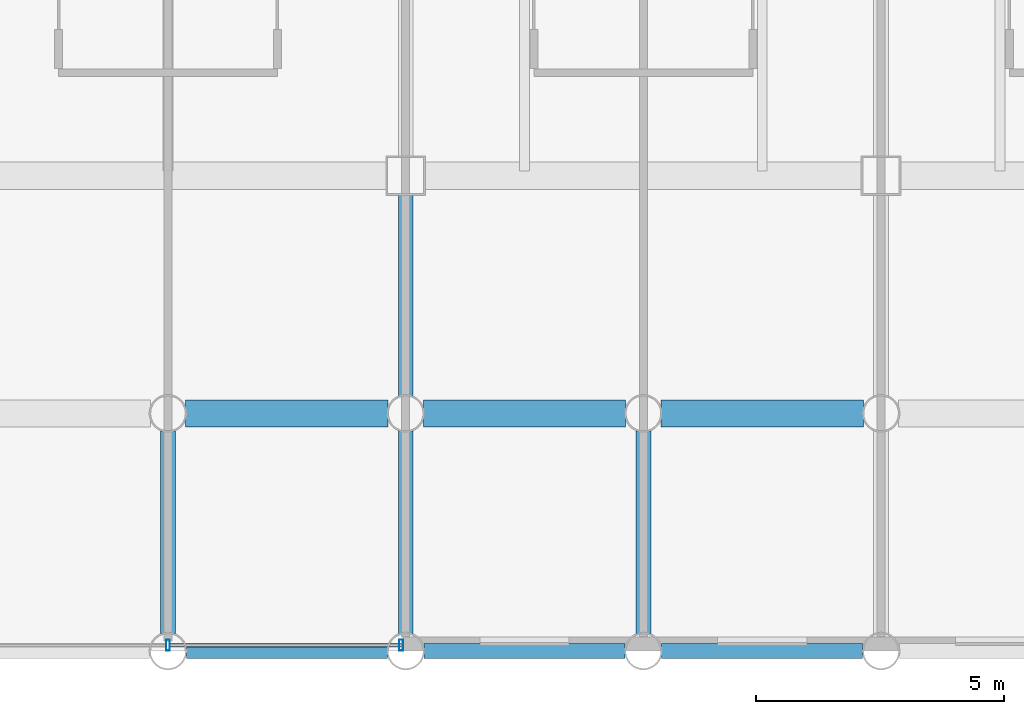
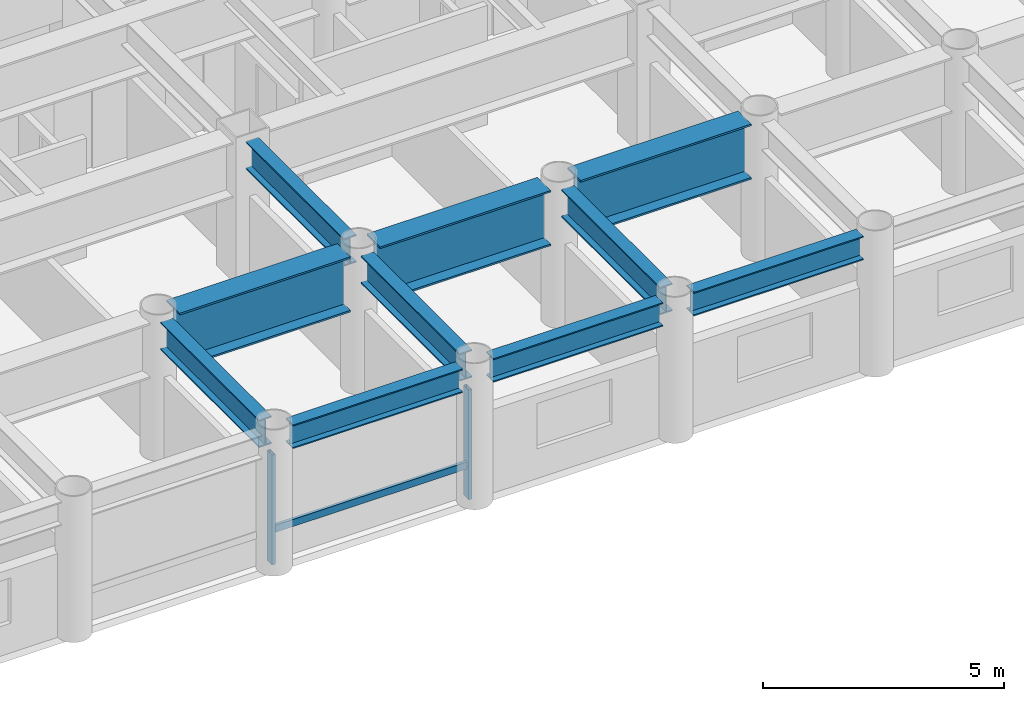
# One storey, part 6 of 24: 10 beams, 3 members, 1 element without a shape of its own.
"""IFC4 building model written with IfcOpenShell, lengths in metres."""

from ifc_helpers import new_model, si_unit, direction, frame, origin, origin_2d, place, context, subcontext, project, spatial, hollow_rectangle, i_section, extrude, material, layer, layer_set, material_profile, profile_set, type_object, element, aggregate, save


model = new_model("IFC4")

# Units and contexts
model_context = context("Model", 3, precision=1e-05, world=origin(), true_north=direction((0.0, 1.0)))
body_context = subcontext(model_context, "Body", "Model", "MODEL_VIEW")
ifc_project = project(units=[si_unit("LENGTHUNIT", "METRE"), si_unit("AREAUNIT", "SQUARE_METRE"), si_unit("VOLUMEUNIT", "CUBIC_METRE"), si_unit("PLANEANGLEUNIT", "RADIAN"), si_unit("MASSUNIT", "GRAM", prefix="KILO")], contexts=[model_context])

# Site, building, storey
site_placement = place(None, origin())
site = spatial("IfcSite", under=ifc_project, at=site_placement, CompositionType="ELEMENT")
building_placement = place(site_placement, origin())
building = spatial("IfcBuilding", under=site, at=building_placement, Name="Kallvorn Hotel Tower", CompositionType="ELEMENT")
storey_placement = place(building_placement, frame((0.0, 0.0, 30.0)))
storey = spatial("IfcBuildingStorey", under=building, at=storey_placement, Name="L05", CompositionType="ELEMENT", Elevation=30.0)

# Beams
ifc_material_1 = material(Name="Structural steel S355JR", Category="steel")
ifc_material_profile_1 = material_profile(ifc_material_1, i_section(OverallWidth=0.300048828125, OverallDepth=0.60009765625, WebThickness=0.015380859375, FlangeThickness=0.030029296875, at=origin_2d()), Name="HE 600 B")
ifc_profile_set_1 = profile_set([ifc_material_profile_1], Name="Structural steel S355JR")
beam_type_1 = type_object("IfcBeamType", Name="BM_HE600B", PredefinedType="SPANDREL", material=ifc_profile_set_1)
beam_1_placement = place(storey_placement, frame((0.37109375, -24.0, 3.219970703125), z_axis=(1.0, 0.0, 0.0), x_axis=(0.0, 1.0, 0.0)))
element("IfcBeam", 1, at=beam_1_placement, inside=storey, type_object=beam_type_1, Name="L06 Perimeter Spandrel 157", PredefinedType="SPANDREL", context=body_context, shape_type="SweptSolid", body=[
    extrude(i_section(OverallWidth=0.300048828125, OverallDepth=0.60009765625, WebThickness=0.015380859375, FlangeThickness=0.030029296875, at=origin_2d()), origin(), (0.0, 0.0, 1.0), 4.057861328125),
])
for number, where, z_axis, x_axis, name in (
    (2, (5.1708984375, -24.0, 3.219970703125), (1.0, 0.0, 0.0), (0.0, 1.0, 0.0), "L06 Perimeter Spandrel 158"),
    (3, (9.970947265625, -24.0, 3.219970703125), (1.0, 0.0, 0.0), (0.0, 1.0, 0.0), "L06 Perimeter Spandrel 159"),
):
    element("IfcBeam", number, at=place(storey_placement, frame(where, z_axis=z_axis, x_axis=x_axis)), inside=storey, type_object=beam_type_1, Name=name, PredefinedType="SPANDREL", context=body_context, shape_type="SweptSolid", body=[
        extrude(i_section(OverallWidth=0.300048828125, OverallDepth=0.60009765625, WebThickness=0.015380859375, FlangeThickness=0.030029296875, at=origin_2d()), origin(), (0.0, 0.0, 1.0), 4.05810546875),
    ])
ifc_material_2 = material(Name="Structural steel S355JR", Category="steel")
ifc_material_profile_2 = material_profile(ifc_material_2, i_section(OverallWidth=0.300048828125, OverallDepth=0.699951171875, WebThickness=0.01708984375, FlangeThickness=0.031982421875, at=origin_2d()), Name="HE 700 B")
ifc_profile_set_2 = profile_set([ifc_material_profile_2], Name="Structural steel S355JR")
beam_type_2 = type_object("IfcBeamType", Name="BM_HE700B", PredefinedType="BEAM", material=ifc_profile_set_2)
for number, where, z_axis, x_axis, name in (
    (4, (0.0, -23.64404296875, 3.169921875), (0.0, 1.0, 0.0), (-1.0, 0.0, 0.0), "L06 Primary Y-Girder 111"),
    (5, (4.800048828125, -23.64404296875, 3.169921875), (0.0, 1.0, 0.0), (-1.0, 0.0, 0.0), "L06 Primary Y-Girder 114"),
):
    element("IfcBeam", number, at=place(storey_placement, frame(where, z_axis=z_axis, x_axis=x_axis)), inside=storey, type_object=beam_type_2, Name=name, PredefinedType="BEAM", context=body_context, shape_type="SweptSolid", body=[
        extrude(i_section(OverallWidth=0.300048828125, OverallDepth=0.699951171875, WebThickness=0.01708984375, FlangeThickness=0.031982421875, at=origin_2d()), origin(), (0.0, 0.0, 1.0), 4.088134765625),
    ])
beam_2_placement = place(storey_placement, frame((4.800048828125, -18.843994140625, 3.169921875), z_axis=(0.0, 1.0, 0.0), x_axis=(-1.0, 0.0, 0.0)))
element("IfcBeam", 6, at=beam_2_placement, inside=storey, type_object=beam_type_2, Name="L06 Primary Y-Girder 115", PredefinedType="BEAM", context=body_context, shape_type="SweptSolid", body=[
    extrude(i_section(OverallWidth=0.300048828125, OverallDepth=0.699951171875, WebThickness=0.01708984375, FlangeThickness=0.031982421875, at=origin_2d()), origin(), (0.0, 0.0, 1.0), 4.069091796875),
])
beam_3_placement = place(storey_placement, frame((9.60009765625, -23.64404296875, 3.169921875), z_axis=(0.0, 1.0, 0.0), x_axis=(-1.0, 0.0, 0.0)))
element("IfcBeam", 7, at=beam_3_placement, inside=storey, type_object=beam_type_2, Name="L06 Primary Y-Girder 119", PredefinedType="BEAM", context=body_context, shape_type="SweptSolid", body=[
    extrude(i_section(OverallWidth=0.300048828125, OverallDepth=0.699951171875, WebThickness=0.01708984375, FlangeThickness=0.031982421875, at=origin_2d()), origin(), (0.0, 0.0, 1.0), 4.088134765625),
])
ifc_material_3 = material(Name="Structural steel S355JR", Category="steel")
ifc_material_profile_3 = material_profile(ifc_material_3, i_section(OverallWidth=0.550048828125, OverallDepth=1.39990234375, WebThickness=0.02490234375, FlangeThickness=0.044921875, at=origin_2d()), Name="PG 1400x550x25x45")
ifc_profile_set_3 = profile_set([ifc_material_profile_3], Name="Structural steel S355JR")
beam_type_3 = type_object("IfcBeamType", Name="BM_PG_1400", PredefinedType="BEAM", material=ifc_profile_set_3)
beam_4_placement = place(storey_placement, frame((0.35595703125, -19.199951171875, 2.820068359375), z_axis=(1.0, 0.0, 0.0), x_axis=(0.0, 1.0, 0.0)))
element("IfcBeam", 8, at=beam_4_placement, inside=storey, type_object=beam_type_3, Name="L06 Primary X-Girder 08", PredefinedType="BEAM", context=body_context, shape_type="SweptSolid", body=[
    extrude(i_section(OverallWidth=0.550048828125, OverallDepth=1.39990234375, WebThickness=0.02490234375, FlangeThickness=0.044921875, at=origin_2d()), origin(), (0.0, 0.0, 1.0), 4.088134765625),
])
for number, where, z_axis, x_axis, name in (
    (9, (5.156005859375, -19.199951171875, 2.820068359375), (1.0, 0.0, 0.0), (0.0, 1.0, 0.0), "L06 Primary X-Girder 09"),
    (10, (9.9560546875, -19.199951171875, 2.820068359375), (1.0, 0.0, 0.0), (0.0, 1.0, 0.0), "L06 Primary X-Girder 10"),
):
    element("IfcBeam", number, at=place(storey_placement, frame(where, z_axis=z_axis, x_axis=x_axis)), inside=storey, type_object=beam_type_3, Name=name, PredefinedType="BEAM", context=body_context, shape_type="SweptSolid", body=[
        extrude(i_section(OverallWidth=0.550048828125, OverallDepth=1.39990234375, WebThickness=0.02490234375, FlangeThickness=0.044921875, at=origin_2d()), origin(), (0.0, 0.0, 1.0), 4.087890625),
    ])

# Curtain wall, members
ifc_material_4 = material(Name="Thermally broken black-anodised aluminium AA 6063-T6", Category="aluminium")
ifc_layer = layer(ifc_material_4, 0.199951171875)
ifc_layer_set = layer_set([ifc_layer], Name="CW_SYS_3_HOTEL_LOW")
curtain_wall_type = type_object("IfcCurtainWallType", Name="CW_SYS_3_HOTEL_LOW", PredefinedType="USERDEFINED", material=ifc_layer_set)
curtain_wall_placement = place(storey_placement, origin())
curtain_wall = element("IfcCurtainWall", 11, at=curtain_wall_placement, inside=storey, type_object=curtain_wall_type, Name="L05 Dark-Glass Curtain Wall CW-L05-SC", ObjectType="UNITISED CURTAIN WALL", PredefinedType="USERDEFINED")
ifc_material_5 = material(Name="Thermally broken black-anodised aluminium AA 6063-T6", Category="aluminium")
ifc_material_profile_4 = material_profile(ifc_material_5, hollow_rectangle(XDim=0.080078125, YDim=0.219970703125, WallThickness=0.0048828125, at=origin_2d()), Name="MUL 220x80")
ifc_profile_set_4 = profile_set([ifc_material_profile_4], Name="Thermally broken black-anodised aluminium AA 6063-T6")
member_type_1 = type_object("IfcMemberType", Name="CW_MULLION_220x80", PredefinedType="MULLION", material=ifc_profile_set_4)
member_1_placement = place(storey_placement, frame((0.0, -23.8798828125, 0.02001953125), z_axis=(0.0, 0.0, 1.0), x_axis=(1.0, 0.0, 0.0)))
member_1 = element("IfcMember", 12, at=member_1_placement, type_object=member_type_1, Name="CW-L05-SC Mullion 01", PredefinedType="MULLION", context=body_context, shape_type="SweptSolid", body=[
    extrude(hollow_rectangle(XDim=0.080078125, YDim=0.219970703125, WallThickness=0.0048828125, at=origin_2d()), origin(), (0.0, 0.0, 1.0), 2.780029296875),
])
member_2_placement = place(storey_placement, frame((4.7099609375, -23.8798828125, 0.02001953125), z_axis=(0.0, 0.0, 1.0), x_axis=(1.0, 0.0, 0.0)))
member_2 = element("IfcMember", 13, at=member_2_placement, type_object=member_type_1, Name="CW-L05-SC Mullion 02", PredefinedType="MULLION", context=body_context, shape_type="SweptSolid", body=[
    extrude(hollow_rectangle(XDim=0.080078125, YDim=0.219970703125, WallThickness=0.0048828125, at=origin_2d()), origin(), (0.0, 0.0, 1.0), 2.780029296875),
])
ifc_material_6 = material(Name="Thermally broken black-anodised aluminium AA 6063-T6", Category="aluminium")
ifc_material_profile_5 = material_profile(ifc_material_6, hollow_rectangle(XDim=0.070068359375, YDim=0.179931640625, WallThickness=0.00390625, at=origin_2d()), Name="TRN 180x70")
ifc_profile_set_5 = profile_set([ifc_material_profile_5], Name="Thermally broken black-anodised aluminium AA 6063-T6")
member_type_2 = type_object("IfcMemberType", Name="CW_TRANSOM_180x70", PredefinedType="USERDEFINED", material=ifc_profile_set_5)
member_3_placement = place(storey_placement, frame((0.0400390625, -23.8798828125, 0.85009765625), z_axis=(1.0, 0.0, 0.0), x_axis=(0.0, 1.0, 0.0)))
member_3 = element("IfcMember", 14, at=member_3_placement, type_object=member_type_2, Name="CW-L05-SC Transom 01M", ObjectType="TRANSOM", PredefinedType="USERDEFINED", context=body_context, shape_type="SweptSolid", body=[
    extrude(hollow_rectangle(XDim=0.070068359375, YDim=0.179931640625, WallThickness=0.00390625, at=origin_2d()), origin(), (0.0, 0.0, 1.0), 4.669921875),
])
aggregate(curtain_wall, [member_1, member_2, member_3])

save(model, "model.ifc")
